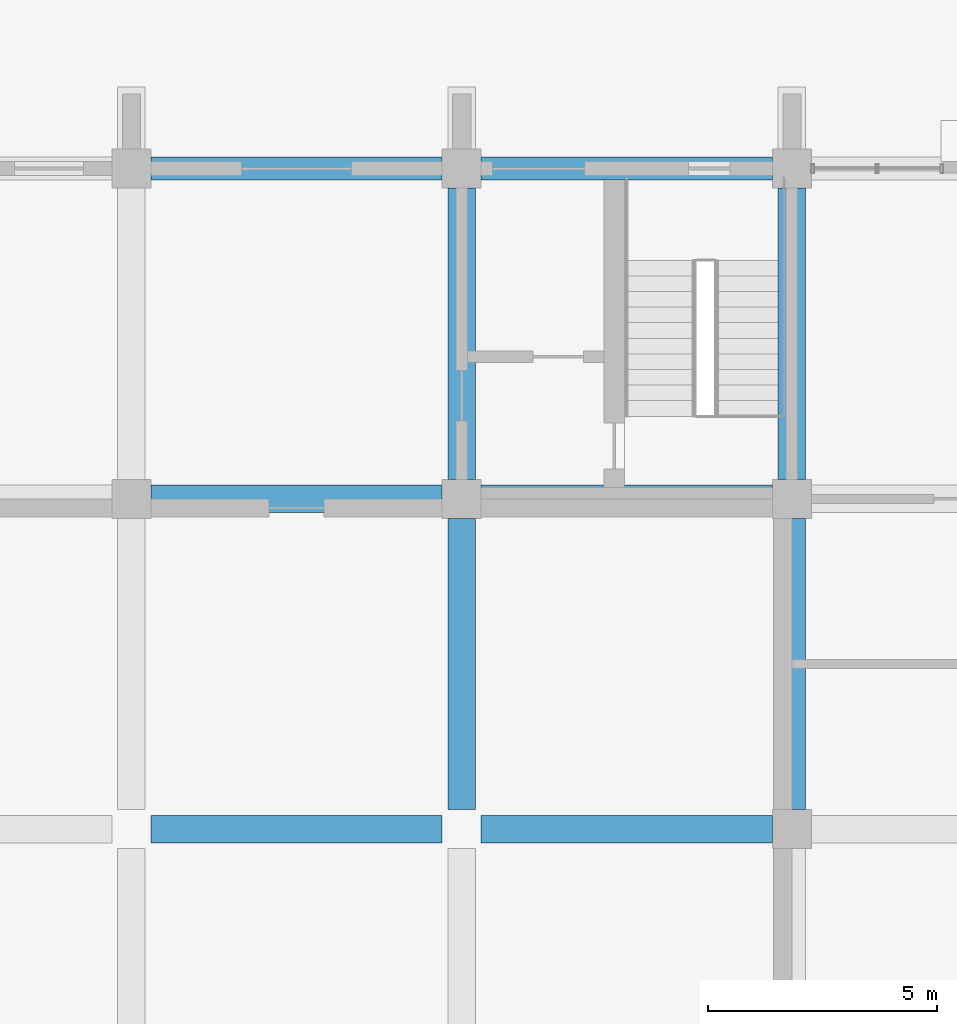
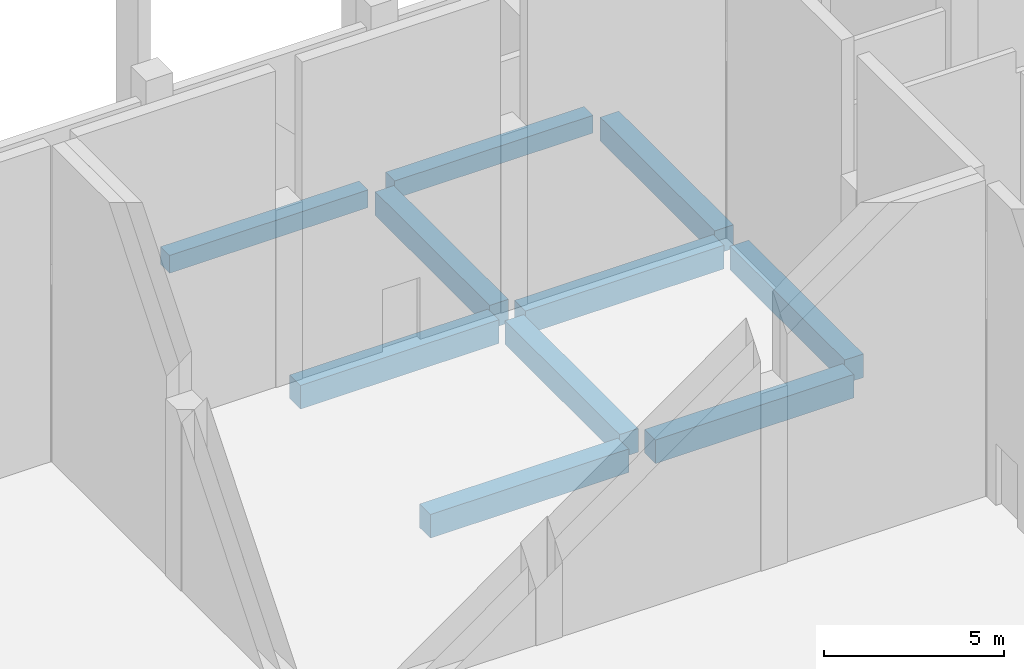
# One storey, part 22 of 50: 10 beams.
"""IFC4 building model written with IfcOpenShell, lengths in metres."""

from ifc_helpers import new_model, si_unit, direction, frame, origin, origin_2d, place, context, subcontext, project, spatial, rectangle, extrude, material, material_profile, profile_set, type_object, element, save


model = new_model("IFC4")

# Units and contexts
model_context = context("Model", 3, precision=1e-05, world=origin(), true_north=direction((0.0, 1.0)))
body_context = subcontext(model_context, "Body", "Model", "MODEL_VIEW")
ifc_project = project(units=[si_unit("LENGTHUNIT", "METRE"), si_unit("AREAUNIT", "SQUARE_METRE"), si_unit("VOLUMEUNIT", "CUBIC_METRE"), si_unit("PLANEANGLEUNIT", "RADIAN"), si_unit("MASSUNIT", "GRAM", prefix="KILO")], contexts=[model_context])

# Site, building, storey
site_placement = place(None, origin())
site = spatial("IfcSite", under=ifc_project, at=site_placement, CompositionType="ELEMENT")
building_placement = place(site_placement, origin())
building = spatial("IfcBuilding", under=site, at=building_placement, Name="Silangan Lancet Faculty of Sciences", CompositionType="ELEMENT")
storey_placement = place(building_placement, origin())
storey = spatial("IfcBuildingStorey", under=building, at=storey_placement, Name="L00", CompositionType="ELEMENT", Elevation=0.0)

# Beams
ifc_material_1 = material(Name="Concrete C40/50", Category="concrete")
ifc_material_profile_1 = material_profile(ifc_material_1, rectangle(XDim=0.5, YDim=0.60009765625, at=origin_2d()), Name="RC 500x600")
ifc_profile_set_1 = profile_set([ifc_material_profile_1], Name="Concrete C40/50")
beam_type_1 = type_object("IfcBeamType", Name="BEAM RC 500x600", PredefinedType="BEAM", material=ifc_profile_set_1)
beam_1_placement = place(storey_placement, frame((58.02490234375, 57.60009765625, -0.60009765625), z_axis=(1.0, 0.0, 0.0), x_axis=(0.0, 1.0, 0.0)))
element("IfcBeam", 1, at=beam_1_placement, inside=storey, type_object=beam_type_1, Name="BM-L00-9I-10I", PredefinedType="BEAM", context=body_context, shape_type="SweptSolid", body=[
    extrude(rectangle(XDim=0.5, YDim=0.60009765625, at=origin_2d()), origin(), (0.0, 0.0, 1.0), 6.35009765625),
])
beam_2_placement = place(storey_placement, frame((65.22509765625, 57.60009765625, -0.60009765625), z_axis=(1.0, 0.0, 0.0), x_axis=(0.0, 1.0, 0.0)))
element("IfcBeam", 2, at=beam_2_placement, inside=storey, type_object=beam_type_1, Name="BM-L00-10I-11I", PredefinedType="BEAM", context=body_context, shape_type="SweptSolid", body=[
    extrude(rectangle(XDim=0.5, YDim=0.60009765625, at=origin_2d()), origin(), (0.0, 0.0, 1.0), 6.349853515625),
])
ifc_material_2 = material(Name="Concrete C40/50", Category="concrete")
ifc_material_profile_2 = material_profile(ifc_material_2, rectangle(XDim=0.60009765625, YDim=0.800048828125, at=origin_2d()), Name="RC 600x800")
ifc_profile_set_2 = profile_set([ifc_material_profile_2], Name="Concrete C40/50")
beam_type_2 = type_object("IfcBeamType", Name="BEAM RC 600x800", PredefinedType="BEAM", material=ifc_profile_set_2)
beam_3_placement = place(storey_placement, frame((58.02490234375, 43.199951171875, -0.699951171875), z_axis=(1.0, 0.0, 0.0), x_axis=(0.0, 1.0, 0.0)))
element("IfcBeam", 3, at=beam_3_placement, inside=storey, type_object=beam_type_2, Name="BM-L00-9G-10G", PredefinedType="BEAM", context=body_context, shape_type="SweptSolid", body=[
    extrude(rectangle(XDim=0.60009765625, YDim=0.800048828125, at=origin_2d()), origin(), (0.0, 0.0, 1.0), 6.35009765625),
])
beam_4_placement = place(storey_placement, frame((65.22509765625, 43.199951171875, -0.699951171875), z_axis=(1.0, 0.0, 0.0), x_axis=(0.0, 1.0, 0.0)))
element("IfcBeam", 4, at=beam_4_placement, inside=storey, type_object=beam_type_2, Name="BM-L00-10G-11G", PredefinedType="BEAM", context=body_context, shape_type="SweptSolid", body=[
    extrude(rectangle(XDim=0.60009765625, YDim=0.800048828125, at=origin_2d()), origin(), (0.0, 0.0, 1.0), 6.349853515625),
])
beam_5_placement = place(storey_placement, frame((58.02490234375, 50.39990234375, -0.699951171875), z_axis=(1.0, 0.0, 0.0), x_axis=(0.0, 1.0, 0.0)))
element("IfcBeam", 5, at=beam_5_placement, inside=storey, type_object=beam_type_2, Name="BM-L00-9H-10H", PredefinedType="BEAM", context=body_context, shape_type="SweptSolid", body=[
    extrude(rectangle(XDim=0.60009765625, YDim=0.800048828125, at=origin_2d()), origin(), (0.0, 0.0, 1.0), 6.35009765625),
])
beam_6_placement = place(storey_placement, frame((65.22509765625, 50.39990234375, -0.699951171875), z_axis=(1.0, 0.0, 0.0), x_axis=(0.0, 1.0, 0.0)))
element("IfcBeam", 6, at=beam_6_placement, inside=storey, type_object=beam_type_2, Name="BM-L00-10H-11H", PredefinedType="BEAM", context=body_context, shape_type="SweptSolid", body=[
    extrude(rectangle(XDim=0.60009765625, YDim=0.800048828125, at=origin_2d()), origin(), (0.0, 0.0, 1.0), 6.349853515625),
])
for number, where, z_axis, x_axis, name in (
    (7, (64.800048828125, 43.625, -0.699951171875), (0.0, 1.0, 0.0), (-1.0, 0.0, 0.0), "BM-L00-10G-10H"),
    (8, (64.800048828125, 50.824951171875, -0.699951171875), (0.0, 1.0, 0.0), (-1.0, 0.0, 0.0), "BM-L00-10H-10I"),
    (9, (72.0, 43.625, -0.699951171875), (0.0, 1.0, 0.0), (-1.0, 0.0, 0.0), "BM-L00-11G-11H"),
    (10, (72.0, 50.824951171875, -0.699951171875), (0.0, 1.0, 0.0), (-1.0, 0.0, 0.0), "BM-L00-11H-11I"),
):
    element("IfcBeam", number, at=place(storey_placement, frame(where, z_axis=z_axis, x_axis=x_axis)), inside=storey, type_object=beam_type_2, Name=name, PredefinedType="BEAM", context=body_context, shape_type="SweptSolid", body=[
        extrude(rectangle(XDim=0.60009765625, YDim=0.800048828125, at=origin_2d()), origin(), (0.0, 0.0, 1.0), 6.35009765625),
    ])

save(model, "model.ifc")
